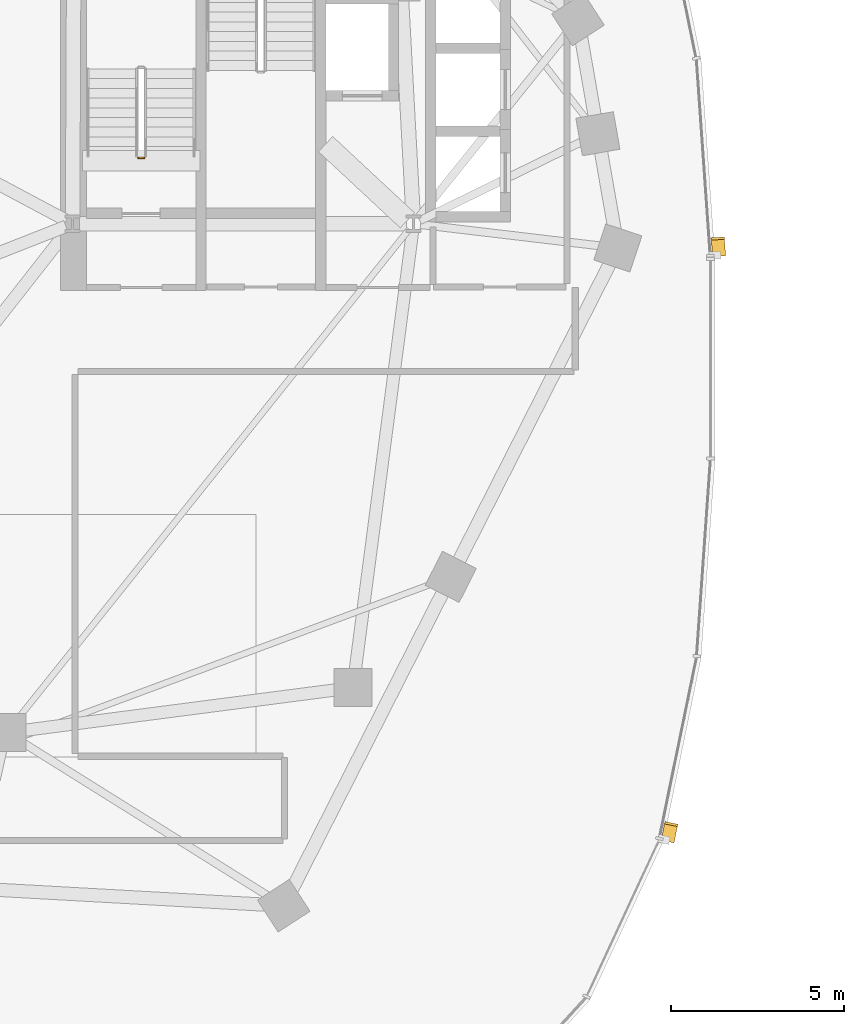
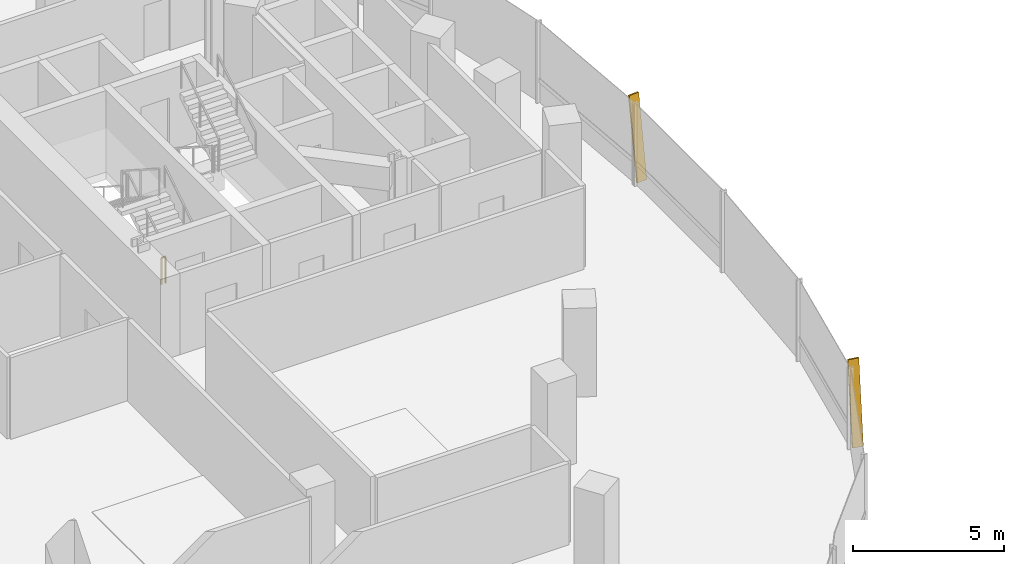
# One storey, part 18 of 21: 2 shading devices, 1 railing.
"""IFC4 building model written with IfcOpenShell, lengths in metres."""

import ifcopenshell
import ifcopenshell.guid

model = None  # the IFC model being written
_history = None  # IfcOwnerHistory: only IFC2X3 demands one
_inside = {}  # id of a spatial element -> (the spatial element, [elements in it])
_under = {}  # id of a project, library or spatial element -> (it, [spatial elements below it])
_declared = {}  # id of a project -> (the project, [libraries it declares])
_typed = {}  # id of a type object -> (the type object, [elements of that type])
_made_of = {}  # id of a material, layer set ... -> (it, [elements and type objects made of it])


def new_model(schema):
    """Start an empty IFC model of exactly this schema.

    Asked for "IFC4X3", IfcOpenShell would pick the latest addendum, in which some entities
    have other attributes; the version numbers below select the first issue.
    IFC2X3 requires an IfcOwnerHistory on every rooted entity: one is made here for all.
    """
    global model, _history
    if schema == "IFC4X3":
        model = ifcopenshell.file(schema_version=(4, 3, 0, 0))
    else:
        model = ifcopenshell.file(schema=schema)
    _inside.clear()
    _under.clear()
    _declared.clear()
    _typed.clear()
    _made_of.clear()
    _history = None
    if model.schema == "IFC2X3":
        org = make("IfcOrganization", Name="unknown")
        user = make(
            "IfcPersonAndOrganization",
            ThePerson=make("IfcPerson", FamilyName="unknown"),
            TheOrganization=org,
        )
        app = make(
            "IfcApplication",
            ApplicationDeveloper=org,
            Version="unknown",
            ApplicationFullName="unknown",
            ApplicationIdentifier="unknown",
        )
        _history = make(
            "IfcOwnerHistory",
            OwningUser=user,
            OwningApplication=app,
            ChangeAction="ADDED",
            CreationDate=0,
        )
    return model


def make(cls, **values):
    """One entity of the class cls with the attributes given. An attribute that is None is left unset."""
    return model.create_entity(
        cls, **{name: value for name, value in values.items() if value is not None}
    )


def rooted(cls, **values):
    """An entity with a GlobalId (a new one), such as an element, a storey or a relation."""
    return make(cls, GlobalId=ifcopenshell.guid.new(), OwnerHistory=_history, **values)


def si_unit(unit_type, name, prefix=None):
    """IfcSIUnit, for example si_unit("LENGTHUNIT", "METRE", prefix="MILLI")."""
    return make("IfcSIUnit", UnitType=unit_type, Prefix=prefix, Name=name)


def assignment(units):
    """IfcUnitAssignment: the units of a project."""
    return None if units is None else make("IfcUnitAssignment", Units=units)


def point(xyz):
    """IfcCartesianPoint."""
    return None if xyz is None else make("IfcCartesianPoint", Coordinates=xyz)


def direction(xyz):
    """IfcDirection."""
    return None if xyz is None else make("IfcDirection", DirectionRatios=xyz)


def frame(location, z_axis=None, x_axis=None):
    """IfcAxis2Placement3D, a coordinate frame: its origin and axes. An axis left out is left unset."""
    return make(
        "IfcAxis2Placement3D",
        Location=point(location),
        Axis=direction(z_axis),
        RefDirection=direction(x_axis),
    )


def frame_2d(location, x_axis=None):
    """IfcAxis2Placement2D, a coordinate frame in the plane: its origin and x axis."""
    return make(
        "IfcAxis2Placement2D", Location=point(location), RefDirection=direction(x_axis)
    )


def origin():
    """The frame at (0, 0, 0) with its axes left unset."""
    return frame((0.0, 0.0, 0.0))


def origin_2d():
    """The frame at (0, 0) in the plane with its x axis left unset."""
    return frame_2d((0.0, 0.0))


def place(relative_to, where):
    """IfcLocalPlacement: puts the frame where relative to a parent placement (None: the world)."""
    return make(
        "IfcLocalPlacement", PlacementRelTo=relative_to, RelativePlacement=where
    )


def context(
    kind, dimensions, precision=None, world=None, true_north=None, identifier=None
):
    """IfcGeometricRepresentationContext, for example the 3D "Model" context."""
    return make(
        "IfcGeometricRepresentationContext",
        ContextIdentifier=identifier,
        ContextType=kind,
        CoordinateSpaceDimension=dimensions,
        Precision=precision,
        WorldCoordinateSystem=world,
        TrueNorth=true_north,
    )


def subcontext(parent, identifier, kind, view, scale=None):
    """IfcGeometricRepresentationSubContext, for example "Body" below "Model"."""
    return make(
        "IfcGeometricRepresentationSubContext",
        ContextIdentifier=identifier,
        ContextType=kind,
        ParentContext=parent,
        TargetScale=scale,
        TargetView=view,
    )


def project(units=None, contexts=None):
    """IfcProject with its units and contexts."""
    return rooted(
        "IfcProject",
        Name="project",
        RepresentationContexts=contexts,
        UnitsInContext=assignment(units),
    )


def spatial(cls, under=None, at=None, **own):
    """A site, building, storey or space (cls), placed at a placement, below another one or the project."""
    s = rooted(cls, ObjectPlacement=at, **own)
    if under is not None:
        _under.setdefault(under.id(), (under, []))[1].append(s)
    return s


def profile(cls, at=None, kind="AREA", **sizes):
    """A parametric profile (cls). Its sizes go by their IFC names, for example OverallWidth=200.0."""
    return make(cls, ProfileType=kind, Position=at, **sizes)


def rectangle(**sizes):
    """IfcRectangleProfileDef."""
    return profile("IfcRectangleProfileDef", **sizes)


def extrude(swept, where, along, depth):
    """IfcExtrudedAreaSolid: the profile swept, set in the frame where, extruded along a direction by depth."""
    return make(
        "IfcExtrudedAreaSolid",
        SweptArea=swept,
        Position=where,
        ExtrudedDirection=direction(along),
        Depth=depth,
    )


def shape(context_of_items, identifier, shape_type, items):
    """IfcShapeRepresentation: the items that make up one representation, for example the "Body"."""
    return make(
        "IfcShapeRepresentation",
        ContextOfItems=context_of_items,
        RepresentationIdentifier=identifier,
        RepresentationType=shape_type,
        Items=items,
    )


def material(Name=None, Category=None):
    """IfcMaterial."""
    return make("IfcMaterial", Name=Name, Category=Category)


def material_profile(
    of_material, cross_section, Name=None, Category=None, Priority=None
):
    """IfcMaterialProfile: a cross section and its material."""
    return make(
        "IfcMaterialProfile",
        Name=Name,
        Material=of_material,
        Profile=cross_section,
        Priority=Priority,
        Category=Category,
    )


def profile_set(profiles, Name=None, composite=None):
    """IfcMaterialProfileSet."""
    return make(
        "IfcMaterialProfileSet",
        Name=Name,
        MaterialProfiles=profiles,
        CompositeProfile=composite,
    )


def made_of(thing, what):
    """Note that an element or type object is made of a material, layer set ...; save() writes the relation."""
    if what is not None:
        _made_of.setdefault(what.id(), (what, []))[1].append(thing)
    return thing


def type_object(cls, material=None, **own):
    """A type object (cls), such as IfcWallType, which elements share."""
    return made_of(rooted(cls, **own), material)


def element(
    cls,
    number,
    at=None,
    inside=None,
    cuts=None,
    type_object=None,
    material=None,
    context=None,
    identifier="Body",
    shape_type=None,
    held_by="IfcProductDefinitionShape",
    body=None,
    shapes=None,
    **own,
):
    """One element of the class cls, such as IfcWall. Its Tag is "e" and its number.

    at: its placement. inside: the storey or other place that contains it. cuts: it is an
    opening in that element (IfcRelVoidsElement). A single representation is given by context,
    identifier, shape_type and body (its items); several are given by shapes. held_by: the class
    of the entity that holds the representations. save() writes the other relations.
    """
    e = rooted(cls, Tag="e%d" % number, ObjectPlacement=at, **own)
    if body is not None:
        shapes = [shape(context, identifier, shape_type, body)]
    if shapes is not None:
        e.Representation = make(held_by, Representations=shapes)
    if inside is not None:
        _inside.setdefault(inside.id(), (inside, []))[1].append(e)
    if cuts is not None:
        rooted(
            "IfcRelVoidsElement", RelatingBuildingElement=cuts, RelatedOpeningElement=e
        )
    if type_object is not None:
        _typed.setdefault(type_object.id(), (type_object, []))[1].append(e)
    return made_of(e, material)


def aggregate(whole, parts):
    """IfcRelAggregates: a whole, such as a stair, and the parts it consists of."""
    return rooted("IfcRelAggregates", RelatingObject=whole, RelatedObjects=parts)


def save(model, path):
    """Write the relations noted so far, then the file.

    IfcRelAggregates (storeys below a building ...), IfcRelContainedInSpatialStructure (elements
    in a storey), IfcRelDefinesByType, IfcRelAssociatesMaterial and IfcRelDeclares: one each for
    every whole, place, type object, material and project.
    """
    for whole, parts in _under.values():
        aggregate(whole, parts)
    for where, things in _inside.values():
        rooted(
            "IfcRelContainedInSpatialStructure",
            RelatedElements=things,
            RelatingStructure=where,
        )
    for kind, things in _typed.values():
        rooted("IfcRelDefinesByType", RelatedObjects=things, RelatingType=kind)
    for what, things in _made_of.values():
        rooted("IfcRelAssociatesMaterial", RelatedObjects=things, RelatingMaterial=what)
    for by, libraries in _declared.values():
        rooted("IfcRelDeclares", RelatingContext=by, RelatedDefinitions=libraries)
    model.write(path)


model = new_model("IFC4")

# Units and contexts
model_context = context("Model", 3, precision=1e-05, world=origin(), true_north=direction((0.0, 1.0)))
body_context = subcontext(model_context, "Body", "Model", "MODEL_VIEW")
ifc_project = project(units=[si_unit("LENGTHUNIT", "METRE"), si_unit("AREAUNIT", "SQUARE_METRE"), si_unit("VOLUMEUNIT", "CUBIC_METRE"), si_unit("PLANEANGLEUNIT", "RADIAN"), si_unit("MASSUNIT", "GRAM", prefix="KILO"), si_unit("THERMODYNAMICTEMPERATUREUNIT", "KELVIN"), si_unit("POWERUNIT", "WATT")], contexts=[model_context])

# Site, building, storey
site_placement = place(None, origin())
site = spatial("IfcSite", under=ifc_project, at=site_placement, CompositionType="ELEMENT")
building_placement = place(site_placement, origin())
building = spatial("IfcBuilding", under=site, at=building_placement, Name="Cundina Bronze Exchange", CompositionType="ELEMENT")
storey_placement = place(building_placement, frame((0.0, 0.0, 81.800048828125)))
storey = spatial("IfcBuildingStorey", under=building, at=storey_placement, Name="L20", CompositionType="ELEMENT", Elevation=81.800048828125)

# Railing
ifc_material_1 = material(Name="Steel ASTM A36 Painted", Category="steel")
railing_type = type_object("IfcRailingType", Name="RLG-STG-1100", PredefinedType="GUARDRAIL", material=ifc_material_1)
railing_placement = place(storey_placement, frame((-29.239990234375, 5.800048828125, 0.0)))
element("IfcRailing", 1, at=railing_placement, inside=storey, type_object=railing_type, Name="L20 ST-W1 stair guard 4", PredefinedType="GUARDRAIL", context=body_context, shape_type="SweptSolid", body=[
    extrude(rectangle(XDim=0.048095703125, YDim=0.048095703125, at=origin_2d()), frame((0.0, 0.0, 1.076171875), z_axis=(-1.0, 0.0, 0.0), x_axis=(0.0, -1.0, 0.0)), (0.0, 0.0, 1.0), 0.159912109375),
    extrude(rectangle(XDim=0.0419921875, YDim=0.0419921875, at=origin_2d()), origin(), (0.0, 0.0, 1.0), 1.052001953125),
    extrude(rectangle(XDim=0.0419921875, YDim=0.0419921875, at=origin_2d()), frame((-0.159912109375, 0.0, 0.0)), (0.0, 0.0, 1.0), 1.052001953125),
])

# Shading devices
ifc_material_2 = material(Name="Anodised Bronze Aluminium 6063-T6", Category="aluminium")
ifc_material_profile = material_profile(ifc_material_2, rectangle(XDim=0.070068359375, YDim=0.3798828125, at=origin_2d()), Name="FIN70X380", Category="aluminium")
ifc_profile_set = profile_set([ifc_material_profile], Name="Anodised Bronze Aluminium 6063-T6")
shading_device_type = type_object("IfcShadingDeviceType", Name="SHD-FIN-BRZ380", PredefinedType="USERDEFINED", material=ifc_profile_set)
for number, where, z_axis, x_axis, name in (
    (2, (-12.6259765625, 2.993896484375, 0.02001953125), (-0.010224545828, 0.145292278041, 0.989335945271), (0.069450050635, -0.986895284755, 0.145651595925), "L20 Diagonal Bronze Solar Fin 1"),
    (3, (-14.10400390625, -13.911865234375, 0.02001953125), (0.029413888538, 0.142698109128, 0.989329102378), (-0.199728220342, -0.968958570224, 0.145698068578), "L20 Diagonal Bronze Solar Fin 5"),
):
    element("IfcShadingDevice", number, at=place(storey_placement, frame(where, z_axis=z_axis, x_axis=x_axis)), inside=storey, type_object=shading_device_type, Name=name, ObjectType="FIN", PredefinedType="USERDEFINED", context=body_context, shape_type="SweptSolid", body=[
        extrude(rectangle(XDim=0.070068359375, YDim=0.3798828125, at=origin_2d()), origin(), (0.0, 0.0, 1.0), 3.295166015625),
    ])

save(model, "model.ifc")
